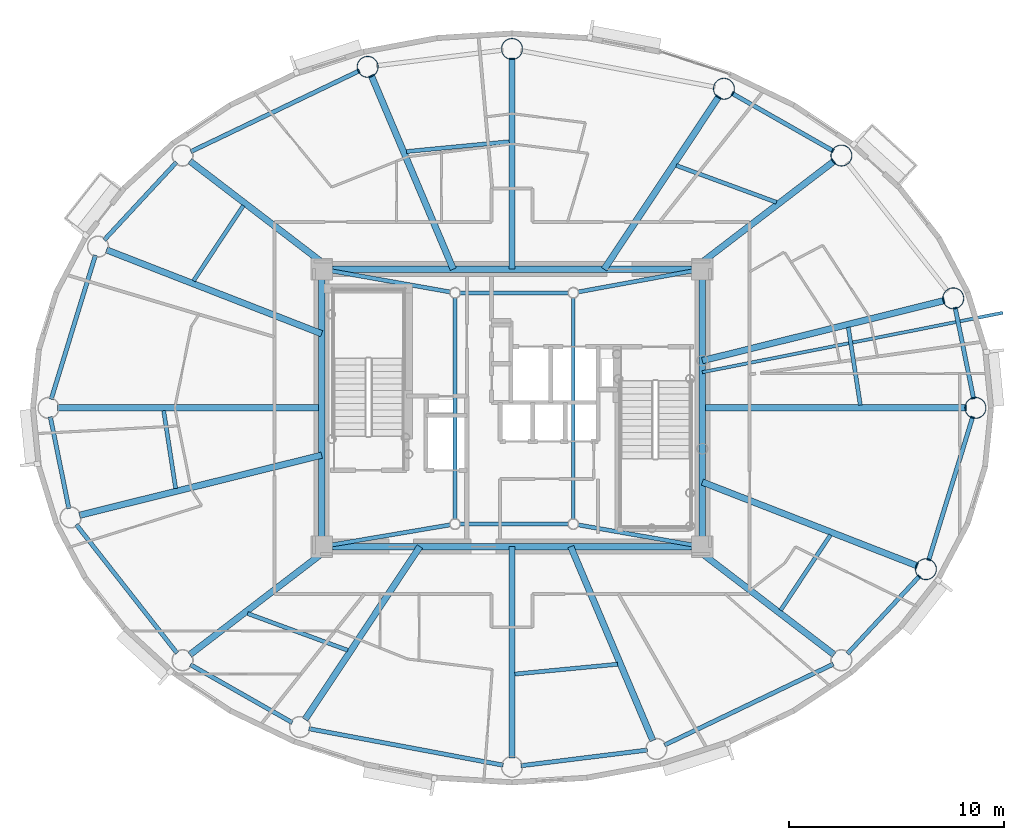
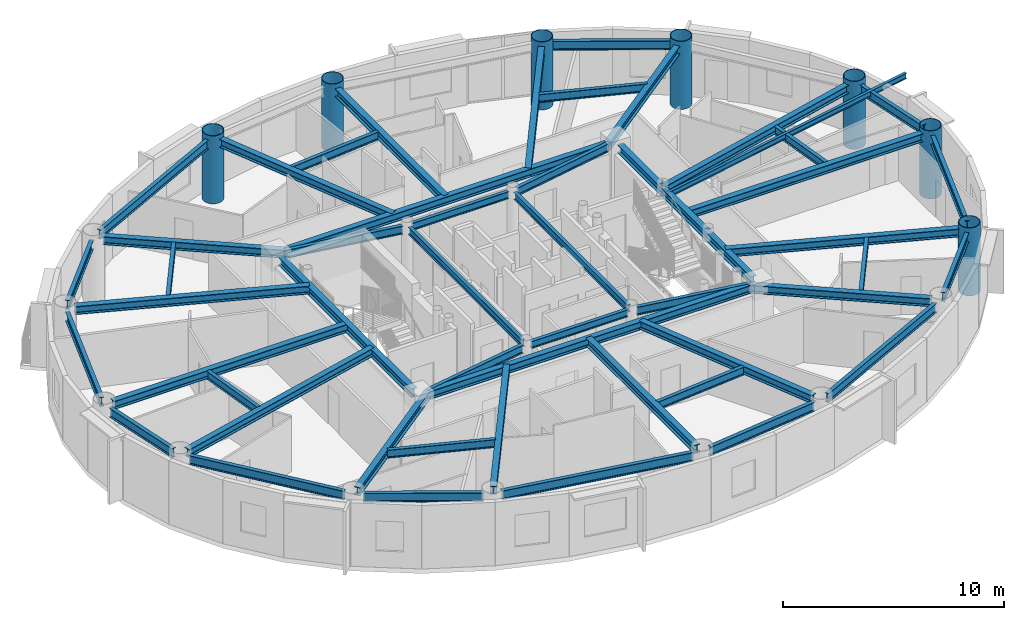
# One storey, part 2 of 17: 50 beams, 7 columns.
"""IFC4 building model written with IfcOpenShell, lengths in metres."""

import ifcopenshell
import ifcopenshell.guid

model = None  # the IFC model being written
_history = None  # IfcOwnerHistory: only IFC2X3 demands one
_inside = {}  # id of a spatial element -> (the spatial element, [elements in it])
_under = {}  # id of a project, library or spatial element -> (it, [spatial elements below it])
_declared = {}  # id of a project -> (the project, [libraries it declares])
_typed = {}  # id of a type object -> (the type object, [elements of that type])
_made_of = {}  # id of a material, layer set ... -> (it, [elements and type objects made of it])


def new_model(schema):
    """Start an empty IFC model of exactly this schema.

    Asked for "IFC4X3", IfcOpenShell would pick the latest addendum, in which some entities
    have other attributes; the version numbers below select the first issue.
    IFC2X3 requires an IfcOwnerHistory on every rooted entity: one is made here for all.
    """
    global model, _history
    if schema == "IFC4X3":
        model = ifcopenshell.file(schema_version=(4, 3, 0, 0))
    else:
        model = ifcopenshell.file(schema=schema)
    _inside.clear()
    _under.clear()
    _declared.clear()
    _typed.clear()
    _made_of.clear()
    _history = None
    if model.schema == "IFC2X3":
        org = make("IfcOrganization", Name="unknown")
        user = make(
            "IfcPersonAndOrganization",
            ThePerson=make("IfcPerson", FamilyName="unknown"),
            TheOrganization=org,
        )
        app = make(
            "IfcApplication",
            ApplicationDeveloper=org,
            Version="unknown",
            ApplicationFullName="unknown",
            ApplicationIdentifier="unknown",
        )
        _history = make(
            "IfcOwnerHistory",
            OwningUser=user,
            OwningApplication=app,
            ChangeAction="ADDED",
            CreationDate=0,
        )
    return model


def make(cls, **values):
    """One entity of the class cls with the attributes given. An attribute that is None is left unset."""
    return model.create_entity(
        cls, **{name: value for name, value in values.items() if value is not None}
    )


def rooted(cls, **values):
    """An entity with a GlobalId (a new one), such as an element, a storey or a relation."""
    return make(cls, GlobalId=ifcopenshell.guid.new(), OwnerHistory=_history, **values)


def si_unit(unit_type, name, prefix=None):
    """IfcSIUnit, for example si_unit("LENGTHUNIT", "METRE", prefix="MILLI")."""
    return make("IfcSIUnit", UnitType=unit_type, Prefix=prefix, Name=name)


def assignment(units):
    """IfcUnitAssignment: the units of a project."""
    return None if units is None else make("IfcUnitAssignment", Units=units)


def point(xyz):
    """IfcCartesianPoint."""
    return None if xyz is None else make("IfcCartesianPoint", Coordinates=xyz)


def direction(xyz):
    """IfcDirection."""
    return None if xyz is None else make("IfcDirection", DirectionRatios=xyz)


def frame(location, z_axis=None, x_axis=None):
    """IfcAxis2Placement3D, a coordinate frame: its origin and axes. An axis left out is left unset."""
    return make(
        "IfcAxis2Placement3D",
        Location=point(location),
        Axis=direction(z_axis),
        RefDirection=direction(x_axis),
    )


def frame_2d(location, x_axis=None):
    """IfcAxis2Placement2D, a coordinate frame in the plane: its origin and x axis."""
    return make(
        "IfcAxis2Placement2D", Location=point(location), RefDirection=direction(x_axis)
    )


def origin():
    """The frame at (0, 0, 0) with its axes left unset."""
    return frame((0.0, 0.0, 0.0))


def origin_2d():
    """The frame at (0, 0) in the plane with its x axis left unset."""
    return frame_2d((0.0, 0.0))


def place(relative_to, where):
    """IfcLocalPlacement: puts the frame where relative to a parent placement (None: the world)."""
    return make(
        "IfcLocalPlacement", PlacementRelTo=relative_to, RelativePlacement=where
    )


def context(
    kind, dimensions, precision=None, world=None, true_north=None, identifier=None
):
    """IfcGeometricRepresentationContext, for example the 3D "Model" context."""
    return make(
        "IfcGeometricRepresentationContext",
        ContextIdentifier=identifier,
        ContextType=kind,
        CoordinateSpaceDimension=dimensions,
        Precision=precision,
        WorldCoordinateSystem=world,
        TrueNorth=true_north,
    )


def subcontext(parent, identifier, kind, view, scale=None):
    """IfcGeometricRepresentationSubContext, for example "Body" below "Model"."""
    return make(
        "IfcGeometricRepresentationSubContext",
        ContextIdentifier=identifier,
        ContextType=kind,
        ParentContext=parent,
        TargetScale=scale,
        TargetView=view,
    )


def project(units=None, contexts=None):
    """IfcProject with its units and contexts."""
    return rooted(
        "IfcProject",
        Name="project",
        RepresentationContexts=contexts,
        UnitsInContext=assignment(units),
    )


def spatial(cls, under=None, at=None, **own):
    """A site, building, storey or space (cls), placed at a placement, below another one or the project."""
    s = rooted(cls, ObjectPlacement=at, **own)
    if under is not None:
        _under.setdefault(under.id(), (under, []))[1].append(s)
    return s


def profile(cls, at=None, kind="AREA", **sizes):
    """A parametric profile (cls). Its sizes go by their IFC names, for example OverallWidth=200.0."""
    return make(cls, ProfileType=kind, Position=at, **sizes)


def hollow_circle(**sizes):
    """IfcCircleHollowProfileDef."""
    return profile("IfcCircleHollowProfileDef", **sizes)


def i_section(**sizes):
    """IfcIShapeProfileDef."""
    return profile("IfcIShapeProfileDef", **sizes)


def extrude(swept, where, along, depth):
    """IfcExtrudedAreaSolid: the profile swept, set in the frame where, extruded along a direction by depth."""
    return make(
        "IfcExtrudedAreaSolid",
        SweptArea=swept,
        Position=where,
        ExtrudedDirection=direction(along),
        Depth=depth,
    )


def shape(context_of_items, identifier, shape_type, items):
    """IfcShapeRepresentation: the items that make up one representation, for example the "Body"."""
    return make(
        "IfcShapeRepresentation",
        ContextOfItems=context_of_items,
        RepresentationIdentifier=identifier,
        RepresentationType=shape_type,
        Items=items,
    )


def material(Name=None, Category=None):
    """IfcMaterial."""
    return make("IfcMaterial", Name=Name, Category=Category)


def material_profile(
    of_material, cross_section, Name=None, Category=None, Priority=None
):
    """IfcMaterialProfile: a cross section and its material."""
    return make(
        "IfcMaterialProfile",
        Name=Name,
        Material=of_material,
        Profile=cross_section,
        Priority=Priority,
        Category=Category,
    )


def profile_set(profiles, Name=None, composite=None):
    """IfcMaterialProfileSet."""
    return make(
        "IfcMaterialProfileSet",
        Name=Name,
        MaterialProfiles=profiles,
        CompositeProfile=composite,
    )


def made_of(thing, what):
    """Note that an element or type object is made of a material, layer set ...; save() writes the relation."""
    if what is not None:
        _made_of.setdefault(what.id(), (what, []))[1].append(thing)
    return thing


def type_object(cls, material=None, **own):
    """A type object (cls), such as IfcWallType, which elements share."""
    return made_of(rooted(cls, **own), material)


def element(
    cls,
    number,
    at=None,
    inside=None,
    cuts=None,
    type_object=None,
    material=None,
    context=None,
    identifier="Body",
    shape_type=None,
    held_by="IfcProductDefinitionShape",
    body=None,
    shapes=None,
    **own,
):
    """One element of the class cls, such as IfcWall. Its Tag is "e" and its number.

    at: its placement. inside: the storey or other place that contains it. cuts: it is an
    opening in that element (IfcRelVoidsElement). A single representation is given by context,
    identifier, shape_type and body (its items); several are given by shapes. held_by: the class
    of the entity that holds the representations. save() writes the other relations.
    """
    e = rooted(cls, Tag="e%d" % number, ObjectPlacement=at, **own)
    if body is not None:
        shapes = [shape(context, identifier, shape_type, body)]
    if shapes is not None:
        e.Representation = make(held_by, Representations=shapes)
    if inside is not None:
        _inside.setdefault(inside.id(), (inside, []))[1].append(e)
    if cuts is not None:
        rooted(
            "IfcRelVoidsElement", RelatingBuildingElement=cuts, RelatedOpeningElement=e
        )
    if type_object is not None:
        _typed.setdefault(type_object.id(), (type_object, []))[1].append(e)
    return made_of(e, material)


def aggregate(whole, parts):
    """IfcRelAggregates: a whole, such as a stair, and the parts it consists of."""
    return rooted("IfcRelAggregates", RelatingObject=whole, RelatedObjects=parts)


def save(model, path):
    """Write the relations noted so far, then the file.

    IfcRelAggregates (storeys below a building ...), IfcRelContainedInSpatialStructure (elements
    in a storey), IfcRelDefinesByType, IfcRelAssociatesMaterial and IfcRelDeclares: one each for
    every whole, place, type object, material and project.
    """
    for whole, parts in _under.values():
        aggregate(whole, parts)
    for where, things in _inside.values():
        rooted(
            "IfcRelContainedInSpatialStructure",
            RelatedElements=things,
            RelatingStructure=where,
        )
    for kind, things in _typed.values():
        rooted("IfcRelDefinesByType", RelatedObjects=things, RelatingType=kind)
    for what, things in _made_of.values():
        rooted("IfcRelAssociatesMaterial", RelatedObjects=things, RelatingMaterial=what)
    for by, libraries in _declared.values():
        rooted("IfcRelDeclares", RelatingContext=by, RelatedDefinitions=libraries)
    model.write(path)


model = new_model("IFC4")

# Units and contexts
model_context = context("Model", 3, precision=1e-05, world=origin(), true_north=direction((0.0, 1.0)))
body_context = subcontext(model_context, "Body", "Model", "MODEL_VIEW")
ifc_project = project(units=[si_unit("LENGTHUNIT", "METRE"), si_unit("AREAUNIT", "SQUARE_METRE"), si_unit("VOLUMEUNIT", "CUBIC_METRE"), si_unit("PLANEANGLEUNIT", "RADIAN"), si_unit("MASSUNIT", "GRAM", prefix="KILO")], contexts=[model_context])

# Site, building, storey
site_placement = place(None, origin())
site = spatial("IfcSite", under=ifc_project, at=site_placement, CompositionType="ELEMENT")
building_placement = place(site_placement, origin())
building = spatial("IfcBuilding", under=site, at=building_placement, Name="Linh Dai School and Residence Tower", CompositionType="ELEMENT")
storey_placement = place(building_placement, frame((0.0, 0.0, 276.75)))
storey = spatial("IfcBuildingStorey", under=building, at=storey_placement, Name="L68", CompositionType="ELEMENT", Elevation=276.75)

# Columns
ifc_material = material(Name="Structural Steel S355JR", Category="steel")
ifc_material_profile_1 = material_profile(ifc_material, hollow_circle(Radius=0.5, WallThickness=0.031982421875, at=origin_2d()), Name="CHS 1000x32")
ifc_profile_set_1 = profile_set([ifc_material_profile_1], Name="Structural Steel S355JR")
column_type = type_object("IfcColumnType", Name="COL-MC6", PredefinedType="COLUMN", material=ifc_profile_set_1)
for number, where, z_axis, x_axis, name in (
    (1, (57.550048828125, 27.0, 0.0), (0.0, 0.0, 1.0), (1.0, 0.0, 0.0), "L68 Perimeter CFT Mega-Column MC01"),
    (2, (56.5185546875, 32.094482421875, 0.0), (0.0, 0.0, 1.0), (1.0, 0.0, 0.0), "L68 Perimeter CFT Mega-Column MC02"),
    (3, (51.315185546875, 38.7333984375, 0.0), (0.0, 0.0, 1.0), (1.0, 0.0, 0.0), "L68 Perimeter CFT Mega-Column MC03"),
    (4, (45.8544921875, 41.8388671875, 0.0), (0.0, 0.0, 1.0), (1.0, 0.0, 0.0), "L68 Perimeter CFT Mega-Column MC04"),
    (5, (36.0, 43.68994140625, 0.0), (0.0, 0.0, 1.0), (1.0, 0.0, 0.0), "L68 Perimeter CFT Mega-Column MC05"),
    (6, (29.28759765625, 42.857666015625, 0.0), (0.0, 0.0, 1.0), (1.0, 0.0, 0.0), "L68 Perimeter CFT Mega-Column MC06"),
    (7, (55.24609375, 19.50048828125, 0.0), (0.0, 0.0, 1.0), (1.0, 0.0, 0.0), "L68 Perimeter CFT Mega-Column MC16"),
):
    element("IfcColumn", number, at=place(storey_placement, frame(where, z_axis=z_axis, x_axis=x_axis)), inside=storey, type_object=column_type, Name=name, PredefinedType="COLUMN", context=body_context, shape_type="SweptSolid", body=[
        extrude(hollow_circle(Radius=0.5, WallThickness=0.031982421875, at=origin_2d()), origin(), (0.0, 0.0, 1.0), 3.75),
    ])

# Beams
ifc_material_profile_2 = material_profile(ifc_material, i_section(OverallWidth=0.14990234375, OverallDepth=0.300048828125, WebThickness=0.007080078125, FlangeThickness=0.0107421875, at=origin_2d()), Name="IPE 300")
ifc_profile_set_2 = profile_set([ifc_material_profile_2], Name="Structural Steel S355JR")
beam_type_1 = type_object("IfcBeamType", Name="BM-BALC-CANT", PredefinedType="BEAM", material=ifc_profile_set_2)
beam_1_placement = place(storey_placement, frame((44.85009765625, 28.657958984375, 3.35009765625), z_axis=(0.98098726072, 0.194072136859, 0.0), x_axis=(-0.194072136859, 0.98098726072, 0.0)))
element("IfcBeam", 8, at=beam_1_placement, inside=storey, type_object=beam_type_1, Name="L69 Balcony Continuous Cantilever Beam 02", PredefinedType="BEAM", context=body_context, shape_type="SweptSolid", body=[
    extrude(i_section(OverallWidth=0.14990234375, OverallDepth=0.300048828125, WebThickness=0.007080078125, FlangeThickness=0.0107421875, at=origin_2d()), origin(), (0.0, 0.0, 1.0), 14.244140625),
])
ifc_material_profile_3 = material_profile(ifc_material, i_section(OverallWidth=0.199951171875, OverallDepth=0.5, WebThickness=0.01025390625, FlangeThickness=0.01611328125, FilletRadius=0.02099609375, at=origin_2d()), Name="IPE 500")
ifc_profile_set_3 = profile_set([ifc_material_profile_3], Name="Structural Steel S355JR")
beam_type_2 = type_object("IfcBeamType", Name="BM-RB50", PredefinedType="BEAM", material=ifc_profile_set_3)
beam_2_placement = place(storey_placement, frame((57.466552734375, 27.41162109375, 3.25), z_axis=(-0.198442801529, 0.980112470343, 0.0), x_axis=(-0.980112470343, -0.198442801529, 0.0)))
element("IfcBeam", 9, at=beam_2_placement, inside=storey, type_object=beam_type_2, Name="L68 Perimeter Elliptical Ring Beam 01", PredefinedType="BEAM", context=body_context, shape_type="SweptSolid", body=[
    extrude(i_section(OverallWidth=0.199951171875, OverallDepth=0.5, WebThickness=0.01025390625, FlangeThickness=0.01611328125, FilletRadius=0.02099609375, at=origin_2d()), origin(), (0.0, 0.0, 1.0), 4.357666015625),
])
beam_3_placement = place(storey_placement, frame((50.949951171875, 38.94091796875, 3.25), z_axis=(-0.869265548778, 0.494345431564, 0.0), x_axis=(-0.494345431564, -0.869265548778, 0.0)))
element("IfcBeam", 10, at=beam_3_placement, inside=storey, type_object=beam_type_2, Name="L68 Perimeter Elliptical Ring Beam 03", PredefinedType="BEAM", context=body_context, shape_type="SweptSolid", body=[
    extrude(i_section(OverallWidth=0.199951171875, OverallDepth=0.5, WebThickness=0.01025390625, FlangeThickness=0.01611328125, FilletRadius=0.02099609375, at=origin_2d()), origin(), (0.0, 0.0, 1.0), 5.44189453125),
])
beam_4_placement = place(storey_placement, frame((28.908935546875, 42.67626953125, 3.25), z_axis=(-0.901728757887, -0.4323022637, 0.0), x_axis=(0.4323022637, -0.901728757887, 0.0)))
element("IfcBeam", 11, at=beam_4_placement, inside=storey, type_object=beam_type_2, Name="L68 Perimeter Elliptical Ring Beam 06", PredefinedType="BEAM", context=body_context, shape_type="SweptSolid", body=[
    extrude(i_section(OverallWidth=0.199951171875, OverallDepth=0.5, WebThickness=0.01025390625, FlangeThickness=0.01611328125, FilletRadius=0.02099609375, at=origin_2d()), origin(), (0.0, 0.0, 1.0), 8.700439453125),
])
beam_5_placement = place(storey_placement, frame((20.399169921875, 38.425537109375, 3.25), z_axis=(-0.680415064526, -0.7328269509, 0.0), x_axis=(0.7328269509, -0.680415064526, 0.0)))
element("IfcBeam", 12, at=beam_5_placement, inside=storey, type_object=beam_type_2, Name="L68 Perimeter Elliptical Ring Beam 07", PredefinedType="BEAM", context=body_context, shape_type="SweptSolid", body=[
    extrude(i_section(OverallWidth=0.199951171875, OverallDepth=0.5, WebThickness=0.01025390625, FlangeThickness=0.01611328125, FilletRadius=0.02099609375, at=origin_2d()), origin(), (0.0, 0.0, 1.0), 4.9375),
])
beam_6_placement = place(storey_placement, frame((16.630615234375, 34.097900390625, 3.25), z_axis=(-0.293681749834, -0.955903253376, 0.0), x_axis=(0.955903253376, -0.293681749834, 0.0)))
element("IfcBeam", 13, at=beam_6_placement, inside=storey, type_object=beam_type_2, Name="L68 Perimeter Elliptical Ring Beam 08", PredefinedType="BEAM", context=body_context, shape_type="SweptSolid", body=[
    extrude(i_section(OverallWidth=0.199951171875, OverallDepth=0.5, WebThickness=0.01025390625, FlangeThickness=0.01611328125, FilletRadius=0.02099609375, at=origin_2d()), origin(), (0.0, 0.0, 1.0), 7.00537109375),
])
beam_7_placement = place(storey_placement, frame((14.533447265625, 26.58837890625, 3.25), z_axis=(0.198442801529, -0.980112470343, 0.0), x_axis=(0.980112470343, 0.198442801529, 0.0)))
element("IfcBeam", 14, at=beam_7_placement, inside=storey, type_object=beam_type_2, Name="L68 Perimeter Elliptical Ring Beam 09", PredefinedType="BEAM", context=body_context, shape_type="SweptSolid", body=[
    extrude(i_section(OverallWidth=0.199951171875, OverallDepth=0.5, WebThickness=0.01025390625, FlangeThickness=0.01611328125, FilletRadius=0.02099609375, at=origin_2d()), origin(), (0.0, 0.0, 1.0), 4.357666015625),
])
beam_8_placement = place(storey_placement, frame((15.740478515625, 21.574951171875, 3.25), z_axis=(0.616882739554, -0.787055071542, 0.0), x_axis=(0.787055071542, 0.616882739554, 0.0)))
element("IfcBeam", 15, at=beam_8_placement, inside=storey, type_object=beam_type_2, Name="L68 Perimeter Elliptical Ring Beam 10", PredefinedType="BEAM", context=body_context, shape_type="SweptSolid", body=[
    extrude(i_section(OverallWidth=0.199951171875, OverallDepth=0.5, WebThickness=0.01025390625, FlangeThickness=0.01611328125, FilletRadius=0.02099609375, at=origin_2d()), origin(), (0.0, 0.0, 1.0), 7.59521484375),
])
beam_9_placement = place(storey_placement, frame((21.050048828125, 15.05908203125, 3.25), z_axis=(0.869265548778, -0.494345431564, 0.0), x_axis=(0.494345431564, 0.869265548778, 0.0)))
element("IfcBeam", 16, at=beam_9_placement, inside=storey, type_object=beam_type_2, Name="L68 Perimeter Elliptical Ring Beam 11", PredefinedType="BEAM", context=body_context, shape_type="SweptSolid", body=[
    extrude(i_section(OverallWidth=0.199951171875, OverallDepth=0.5, WebThickness=0.01025390625, FlangeThickness=0.01611328125, FilletRadius=0.02099609375, at=origin_2d()), origin(), (0.0, 0.0, 1.0), 5.44189453125),
])
beam_10_placement = place(storey_placement, frame((26.558349609375, 12.083740234375, 3.25), z_axis=(0.982805333306, -0.184644731378, 0.0), x_axis=(0.184644731378, 0.982805333306, 0.0)))
element("IfcBeam", 17, at=beam_10_placement, inside=storey, type_object=beam_type_2, Name="L68 Perimeter Elliptical Ring Beam 12", PredefinedType="BEAM", context=body_context, shape_type="SweptSolid", body=[
    extrude(i_section(OverallWidth=0.199951171875, OverallDepth=0.5, WebThickness=0.01025390625, FlangeThickness=0.01611328125, FilletRadius=0.02099609375, at=origin_2d()), origin(), (0.0, 0.0, 1.0), 9.186767578125),
])
beam_11_placement = place(storey_placement, frame((36.416748046875, 10.361572265625, 3.25), z_axis=(0.992399134443, 0.123060789678, 0.0), x_axis=(-0.123060789678, 0.992399134443, 0.0)))
element("IfcBeam", 18, at=beam_11_placement, inside=storey, type_object=beam_type_2, Name="L68 Perimeter Elliptical Ring Beam 13", PredefinedType="BEAM", context=body_context, shape_type="SweptSolid", body=[
    extrude(i_section(OverallWidth=0.199951171875, OverallDepth=0.5, WebThickness=0.01025390625, FlangeThickness=0.01611328125, FilletRadius=0.02099609375, at=origin_2d()), origin(), (0.0, 0.0, 1.0), 5.923828125),
])
beam_12_placement = place(storey_placement, frame((43.091064453125, 11.32373046875, 3.25), z_axis=(0.901728757887, 0.4323022637, 0.0), x_axis=(-0.4323022637, 0.901728757887, 0.0)))
element("IfcBeam", 19, at=beam_12_placement, inside=storey, type_object=beam_type_2, Name="L68 Perimeter Elliptical Ring Beam 14", PredefinedType="BEAM", context=body_context, shape_type="SweptSolid", body=[
    extrude(i_section(OverallWidth=0.199951171875, OverallDepth=0.5, WebThickness=0.01025390625, FlangeThickness=0.01611328125, FilletRadius=0.02099609375, at=origin_2d()), origin(), (0.0, 0.0, 1.0), 8.700439453125),
])
beam_13_placement = place(storey_placement, frame((51.600830078125, 15.574462890625, 3.25), z_axis=(0.680415064526, 0.7328269509, 0.0), x_axis=(-0.7328269509, 0.680415064526, 0.0)))
element("IfcBeam", 20, at=beam_13_placement, inside=storey, type_object=beam_type_2, Name="L68 Perimeter Elliptical Ring Beam 15", PredefinedType="BEAM", context=body_context, shape_type="SweptSolid", body=[
    extrude(i_section(OverallWidth=0.199951171875, OverallDepth=0.5, WebThickness=0.01025390625, FlangeThickness=0.01611328125, FilletRadius=0.02099609375, at=origin_2d()), origin(), (0.0, 0.0, 1.0), 4.9375),
])
beam_14_placement = place(storey_placement, frame((55.369384765625, 19.902099609375, 3.25), z_axis=(0.293681749834, 0.955903253376, 0.0), x_axis=(-0.955903253376, 0.293681749834, 0.0)))
element("IfcBeam", 21, at=beam_14_placement, inside=storey, type_object=beam_type_2, Name="L68 Perimeter Elliptical Ring Beam 16", PredefinedType="BEAM", context=body_context, shape_type="SweptSolid", body=[
    extrude(i_section(OverallWidth=0.199951171875, OverallDepth=0.5, WebThickness=0.01025390625, FlangeThickness=0.01611328125, FilletRadius=0.02099609375, at=origin_2d()), origin(), (0.0, 0.0, 1.0), 7.00537109375),
])
ifc_material_profile_4 = material_profile(ifc_material, i_section(OverallWidth=0.300048828125, OverallDepth=0.449951171875, WebThickness=0.013916015625, FlangeThickness=0.02587890625, FilletRadius=0.027099609375, at=origin_2d()), Name="HEB 450")
ifc_profile_set_4 = profile_set([ifc_material_profile_4], Name="Structural Steel S355JR")
beam_type_3 = type_object("IfcBeamType", Name="BM-RG45", PredefinedType="BEAM", material=ifc_profile_set_4)
beam_15_placement = place(storey_placement, frame((27.570068359375, 20.550048828125, 3.27490234375), z_axis=(1.0, 0.0, 0.0), x_axis=(0.0, 1.0, 0.0)))
element("IfcBeam", 22, at=beam_15_placement, inside=storey, type_object=beam_type_3, Name="L68 Core Perimeter Coupling Girder 1", PredefinedType="BEAM", context=body_context, shape_type="SweptSolid", body=[
    extrude(i_section(OverallWidth=0.300048828125, OverallDepth=0.449951171875, WebThickness=0.013916015625, FlangeThickness=0.02587890625, FilletRadius=0.027099609375, at=origin_2d()), origin(), (0.0, 0.0, 1.0), 16.85986328125),
])
beam_16_placement = place(storey_placement, frame((44.85009765625, 20.969970703125, 3.27490234375), z_axis=(0.0, 1.0, 0.0), x_axis=(-1.0, 0.0, 0.0)))
element("IfcBeam", 23, at=beam_16_placement, inside=storey, type_object=beam_type_3, Name="L68 Core Perimeter Coupling Girder 2", PredefinedType="BEAM", context=body_context, shape_type="SweptSolid", body=[
    extrude(i_section(OverallWidth=0.300048828125, OverallDepth=0.449951171875, WebThickness=0.013916015625, FlangeThickness=0.02587890625, FilletRadius=0.027099609375, at=origin_2d()), origin(), (0.0, 0.0, 1.0), 12.06005859375),
])
beam_17_placement = place(storey_placement, frame((44.429931640625, 33.449951171875, 3.27490234375), z_axis=(-1.0, 0.0, 0.0), x_axis=(0.0, -1.0, 0.0)))
element("IfcBeam", 24, at=beam_17_placement, inside=storey, type_object=beam_type_3, Name="L68 Core Perimeter Coupling Girder 3", PredefinedType="BEAM", context=body_context, shape_type="SweptSolid", body=[
    extrude(i_section(OverallWidth=0.300048828125, OverallDepth=0.449951171875, WebThickness=0.013916015625, FlangeThickness=0.02587890625, FilletRadius=0.027099609375, at=origin_2d()), origin(), (0.0, 0.0, 1.0), 16.85986328125),
])
beam_18_placement = place(storey_placement, frame((27.14990234375, 33.030029296875, 3.27490234375), z_axis=(0.0, -1.0, 0.0), x_axis=(1.0, 0.0, 0.0)))
element("IfcBeam", 25, at=beam_18_placement, inside=storey, type_object=beam_type_3, Name="L68 Core Perimeter Coupling Girder 4", PredefinedType="BEAM", context=body_context, shape_type="SweptSolid", body=[
    extrude(i_section(OverallWidth=0.300048828125, OverallDepth=0.449951171875, WebThickness=0.013916015625, FlangeThickness=0.02587890625, FilletRadius=0.027099609375, at=origin_2d()), origin(), (0.0, 0.0, 1.0), 12.06005859375),
])
beam_19_placement = place(storey_placement, frame((44.85009765625, 27.0, 3.27490234375), z_axis=(1.0, 0.0, 0.0), x_axis=(0.0, 1.0, 0.0)))
element("IfcBeam", 26, at=beam_19_placement, inside=storey, type_object=beam_type_3, Name="L68 Primary Radial Floor Girder 01", PredefinedType="BEAM", context=body_context, shape_type="SweptSolid", body=[
    extrude(i_section(OverallWidth=0.300048828125, OverallDepth=0.449951171875, WebThickness=0.013916015625, FlangeThickness=0.02587890625, FilletRadius=0.027099609375, at=origin_2d()), origin(), (0.0, 0.0, 1.0), 12.27978515625),
])
beam_20_placement = place(storey_placement, frame((44.85009765625, 29.197265625, 3.27490234375), z_axis=(0.970532368701, 0.240970789315, 0.0), x_axis=(-0.240970789315, 0.970532368701, 0.0)))
element("IfcBeam", 27, at=beam_20_placement, inside=storey, type_object=beam_type_3, Name="L68 Primary Radial Floor Girder 02", PredefinedType="BEAM", context=body_context, shape_type="SweptSolid", body=[
    extrude(i_section(OverallWidth=0.300048828125, OverallDepth=0.449951171875, WebThickness=0.013916015625, FlangeThickness=0.02587890625, FilletRadius=0.027099609375, at=origin_2d()), origin(), (0.0, 0.0, 1.0), 11.6025390625),
])
beam_21_placement = place(storey_placement, frame((44.4189453125, 33.449951171875, 3.27490234375), z_axis=(0.793802616583, 0.608175472956, 0.0), x_axis=(-0.608175472956, 0.793802616583, 0.0)))
element("IfcBeam", 28, at=beam_21_placement, inside=storey, type_object=beam_type_3, Name="L68 Primary Radial Floor Girder 03", PredefinedType="BEAM", context=body_context, shape_type="SweptSolid", body=[
    extrude(i_section(OverallWidth=0.300048828125, OverallDepth=0.449951171875, WebThickness=0.013916015625, FlangeThickness=0.02587890625, FilletRadius=0.027099609375, at=origin_2d()), origin(), (0.0, 0.0, 1.0), 8.267578125),
])
beam_22_placement = place(storey_placement, frame((40.283447265625, 33.449951171875, 3.27490234375), z_axis=(0.553210566646, 0.833041456922, 0.0), x_axis=(-0.833041456922, 0.553210566646, 0.0)))
element("IfcBeam", 29, at=beam_22_placement, inside=storey, type_object=beam_type_3, Name="L68 Primary Radial Floor Girder 04", PredefinedType="BEAM", context=body_context, shape_type="SweptSolid", body=[
    extrude(i_section(OverallWidth=0.300048828125, OverallDepth=0.449951171875, WebThickness=0.013916015625, FlangeThickness=0.02587890625, FilletRadius=0.027099609375, at=origin_2d()), origin(), (0.0, 0.0, 1.0), 9.650146484375),
])
beam_23_placement = place(storey_placement, frame((36.0, 33.449951171875, 3.27490234375), z_axis=(0.0, 1.0, 0.0), x_axis=(-1.0, 0.0, 0.0)))
element("IfcBeam", 30, at=beam_23_placement, inside=storey, type_object=beam_type_3, Name="L68 Primary Radial Floor Girder 05", PredefinedType="BEAM", context=body_context, shape_type="SweptSolid", body=[
    extrude(i_section(OverallWidth=0.300048828125, OverallDepth=0.449951171875, WebThickness=0.013916015625, FlangeThickness=0.02587890625, FilletRadius=0.027099609375, at=origin_2d()), origin(), (0.0, 0.0, 1.0), 9.820068359375),
])
beam_24_placement = place(storey_placement, frame((33.269775390625, 33.449951171875, 3.27490234375), z_axis=(-0.389794463678, 0.920901881899, 0.0), x_axis=(-0.920901881899, -0.389794463678, 0.0)))
element("IfcBeam", 31, at=beam_24_placement, inside=storey, type_object=beam_type_3, Name="L68 Primary Radial Floor Girder 06", PredefinedType="BEAM", context=body_context, shape_type="SweptSolid", body=[
    extrude(i_section(OverallWidth=0.300048828125, OverallDepth=0.449951171875, WebThickness=0.013916015625, FlangeThickness=0.02587890625, FilletRadius=0.027099609375, at=origin_2d()), origin(), (0.0, 0.0, 1.0), 9.7958984375),
])
beam_25_placement = place(storey_placement, frame((27.5810546875, 33.449951171875, 3.27490234375), z_axis=(-0.793802616583, 0.608175472956, 0.0), x_axis=(-0.608175472956, -0.793802616583, 0.0)))
element("IfcBeam", 32, at=beam_25_placement, inside=storey, type_object=beam_type_3, Name="L68 Primary Radial Floor Girder 07", PredefinedType="BEAM", context=body_context, shape_type="SweptSolid", body=[
    extrude(i_section(OverallWidth=0.300048828125, OverallDepth=0.449951171875, WebThickness=0.013916015625, FlangeThickness=0.02587890625, FilletRadius=0.027099609375, at=origin_2d()), origin(), (0.0, 0.0, 1.0), 8.267578125),
])
beam_26_placement = place(storey_placement, frame((27.14990234375, 30.448486328125, 3.27490234375), z_axis=(-0.931760809838, 0.363072710693, 0.0), x_axis=(-0.363072710693, -0.931760809838, 0.0)))
element("IfcBeam", 33, at=beam_26_placement, inside=storey, type_object=beam_type_3, Name="L68 Primary Radial Floor Girder 08", PredefinedType="BEAM", context=body_context, shape_type="SweptSolid", body=[
    extrude(i_section(OverallWidth=0.300048828125, OverallDepth=0.449951171875, WebThickness=0.013916015625, FlangeThickness=0.02587890625, FilletRadius=0.027099609375, at=origin_2d()), origin(), (0.0, 0.0, 1.0), 10.7373046875),
])
beam_27_placement = place(storey_placement, frame((27.14990234375, 27.0, 3.27490234375), z_axis=(-1.0, 0.0, 0.0), x_axis=(0.0, -1.0, 0.0)))
element("IfcBeam", 34, at=beam_27_placement, inside=storey, type_object=beam_type_3, Name="L68 Primary Radial Floor Girder 09", PredefinedType="BEAM", context=body_context, shape_type="SweptSolid", body=[
    extrude(i_section(OverallWidth=0.300048828125, OverallDepth=0.449951171875, WebThickness=0.013916015625, FlangeThickness=0.02587890625, FilletRadius=0.027099609375, at=origin_2d()), origin(), (0.0, 0.0, 1.0), 12.27978515625),
])
beam_28_placement = place(storey_placement, frame((27.14990234375, 24.802734375, 3.27490234375), z_axis=(-0.970532368701, -0.240970789315, 0.0), x_axis=(0.240970789315, -0.970532368701, 0.0)))
element("IfcBeam", 35, at=beam_28_placement, inside=storey, type_object=beam_type_3, Name="L68 Primary Radial Floor Girder 10", PredefinedType="BEAM", context=body_context, shape_type="SweptSolid", body=[
    extrude(i_section(OverallWidth=0.300048828125, OverallDepth=0.449951171875, WebThickness=0.013916015625, FlangeThickness=0.02587890625, FilletRadius=0.027099609375, at=origin_2d()), origin(), (0.0, 0.0, 1.0), 11.6025390625),
])
beam_29_placement = place(storey_placement, frame((27.5810546875, 20.550048828125, 3.27490234375), z_axis=(-0.793802616583, -0.608175472956, 0.0), x_axis=(0.608175472956, -0.793802616583, 0.0)))
element("IfcBeam", 36, at=beam_29_placement, inside=storey, type_object=beam_type_3, Name="L68 Primary Radial Floor Girder 11", PredefinedType="BEAM", context=body_context, shape_type="SweptSolid", body=[
    extrude(i_section(OverallWidth=0.300048828125, OverallDepth=0.449951171875, WebThickness=0.013916015625, FlangeThickness=0.02587890625, FilletRadius=0.027099609375, at=origin_2d()), origin(), (0.0, 0.0, 1.0), 8.267578125),
])
beam_30_placement = place(storey_placement, frame((31.716552734375, 20.550048828125, 3.27490234375), z_axis=(-0.553210566646, -0.833041456922, 0.0), x_axis=(0.833041456922, -0.553210566646, 0.0)))
element("IfcBeam", 37, at=beam_30_placement, inside=storey, type_object=beam_type_3, Name="L68 Primary Radial Floor Girder 12", PredefinedType="BEAM", context=body_context, shape_type="SweptSolid", body=[
    extrude(i_section(OverallWidth=0.300048828125, OverallDepth=0.449951171875, WebThickness=0.013916015625, FlangeThickness=0.02587890625, FilletRadius=0.027099609375, at=origin_2d()), origin(), (0.0, 0.0, 1.0), 9.650146484375),
])
beam_31_placement = place(storey_placement, frame((36.0, 20.550048828125, 3.27490234375), z_axis=(0.0, -1.0, 0.0), x_axis=(1.0, 0.0, 0.0)))
element("IfcBeam", 38, at=beam_31_placement, inside=storey, type_object=beam_type_3, Name="L68 Primary Radial Floor Girder 13", PredefinedType="BEAM", context=body_context, shape_type="SweptSolid", body=[
    extrude(i_section(OverallWidth=0.300048828125, OverallDepth=0.449951171875, WebThickness=0.013916015625, FlangeThickness=0.02587890625, FilletRadius=0.027099609375, at=origin_2d()), origin(), (0.0, 0.0, 1.0), 9.820068359375),
])
beam_32_placement = place(storey_placement, frame((38.730224609375, 20.550048828125, 3.27490234375), z_axis=(0.389794463678, -0.920901881899, 0.0), x_axis=(0.920901881899, 0.389794463678, 0.0)))
element("IfcBeam", 39, at=beam_32_placement, inside=storey, type_object=beam_type_3, Name="L68 Primary Radial Floor Girder 14", PredefinedType="BEAM", context=body_context, shape_type="SweptSolid", body=[
    extrude(i_section(OverallWidth=0.300048828125, OverallDepth=0.449951171875, WebThickness=0.013916015625, FlangeThickness=0.02587890625, FilletRadius=0.027099609375, at=origin_2d()), origin(), (0.0, 0.0, 1.0), 9.7958984375),
])
beam_33_placement = place(storey_placement, frame((44.4189453125, 20.550048828125, 3.27490234375), z_axis=(0.793802616583, -0.608175472956, 0.0), x_axis=(0.608175472956, 0.793802616583, 0.0)))
element("IfcBeam", 40, at=beam_33_placement, inside=storey, type_object=beam_type_3, Name="L68 Primary Radial Floor Girder 15", PredefinedType="BEAM", context=body_context, shape_type="SweptSolid", body=[
    extrude(i_section(OverallWidth=0.300048828125, OverallDepth=0.449951171875, WebThickness=0.013916015625, FlangeThickness=0.02587890625, FilletRadius=0.027099609375, at=origin_2d()), origin(), (0.0, 0.0, 1.0), 8.267578125),
])
beam_34_placement = place(storey_placement, frame((44.85009765625, 23.551513671875, 3.27490234375), z_axis=(0.931760809838, -0.363072710693, 0.0), x_axis=(0.363072710693, 0.931760809838, 0.0)))
element("IfcBeam", 41, at=beam_34_placement, inside=storey, type_object=beam_type_3, Name="L68 Primary Radial Floor Girder 16", PredefinedType="BEAM", context=body_context, shape_type="SweptSolid", body=[
    extrude(i_section(OverallWidth=0.300048828125, OverallDepth=0.449951171875, WebThickness=0.013916015625, FlangeThickness=0.02587890625, FilletRadius=0.027099609375, at=origin_2d()), origin(), (0.0, 0.0, 1.0), 10.7373046875),
])
ifc_material_profile_5 = material_profile(ifc_material, i_section(OverallWidth=0.179931640625, OverallDepth=0.39990234375, WebThickness=0.008544921875, FlangeThickness=0.013427734375, FilletRadius=0.02099609375, at=origin_2d()), Name="IPE 400")
ifc_profile_set_5 = profile_set([ifc_material_profile_5], Name="Structural Steel S355JR")
beam_type_4 = type_object("IfcBeamType", Name="BM-SB40", PredefinedType="BEAM", material=ifc_profile_set_5)
beam_35_placement = place(storey_placement, frame((33.573974609375, 21.60009765625, 3.300048828125), z_axis=(1.0, 0.0, 0.0), x_axis=(0.0, 1.0, 0.0)))
element("IfcBeam", 42, at=beam_35_placement, inside=storey, type_object=beam_type_4, Name="L68 Core Mast Pier Tie Beam 1", PredefinedType="BEAM", context=body_context, shape_type="SweptSolid", body=[
    extrude(i_section(OverallWidth=0.179931640625, OverallDepth=0.39990234375, WebThickness=0.008544921875, FlangeThickness=0.013427734375, FilletRadius=0.02099609375, at=origin_2d()), origin(), (0.0, 0.0, 1.0), 5.052001953125),
])
beam_36_placement = place(storey_placement, frame((38.85009765625, 21.823974609375, 3.300048828125), z_axis=(0.0, 1.0, 0.0), x_axis=(-1.0, 0.0, 0.0)))
element("IfcBeam", 43, at=beam_36_placement, inside=storey, type_object=beam_type_4, Name="L68 Core Mast Pier Tie Beam 2", PredefinedType="BEAM", context=body_context, shape_type="SweptSolid", body=[
    extrude(i_section(OverallWidth=0.179931640625, OverallDepth=0.39990234375, WebThickness=0.008544921875, FlangeThickness=0.013427734375, FilletRadius=0.02099609375, at=origin_2d()), origin(), (0.0, 0.0, 1.0), 10.302001953125),
])
beam_37_placement = place(storey_placement, frame((38.6259765625, 32.35009765625, 3.300048828125), z_axis=(-1.0, 0.0, 0.0), x_axis=(0.0, -1.0, 0.0)))
element("IfcBeam", 44, at=beam_37_placement, inside=storey, type_object=beam_type_4, Name="L68 Core Mast Pier Tie Beam 3", PredefinedType="BEAM", context=body_context, shape_type="SweptSolid", body=[
    extrude(i_section(OverallWidth=0.179931640625, OverallDepth=0.39990234375, WebThickness=0.008544921875, FlangeThickness=0.013427734375, FilletRadius=0.02099609375, at=origin_2d()), origin(), (0.0, 0.0, 1.0), 5.052001953125),
])
beam_38_placement = place(storey_placement, frame((33.35009765625, 32.1259765625, 3.300048828125), z_axis=(0.0, -1.0, 0.0), x_axis=(1.0, 0.0, 0.0)))
element("IfcBeam", 45, at=beam_38_placement, inside=storey, type_object=beam_type_4, Name="L68 Core Mast Pier Tie Beam 4", PredefinedType="BEAM", context=body_context, shape_type="SweptSolid", body=[
    extrude(i_section(OverallWidth=0.179931640625, OverallDepth=0.39990234375, WebThickness=0.008544921875, FlangeThickness=0.013427734375, FilletRadius=0.02099609375, at=origin_2d()), origin(), (0.0, 0.0, 1.0), 10.302001953125),
])
ifc_material_profile_6 = material_profile(ifc_material, i_section(OverallWidth=0.18994140625, OverallDepth=0.449951171875, WebThickness=0.009521484375, FlangeThickness=0.0146484375, FilletRadius=0.02099609375, at=origin_2d()), Name="IPE 450")
ifc_profile_set_6 = profile_set([ifc_material_profile_6], Name="Structural Steel S355JR")
beam_type_5 = type_object("IfcBeamType", Name="BM-SB45", PredefinedType="BEAM", material=ifc_profile_set_6)
beam_39_placement = place(storey_placement, frame((27.564208984375, 20.6201171875, 3.27490234375), z_axis=(0.98596270559, 0.166965694638, 0.0), x_axis=(-0.166965694638, 0.98596270559, 0.0)))
element("IfcBeam", 46, at=beam_39_placement, inside=storey, type_object=beam_type_5, Name="L68 Core Corner-to-Mast Pier Beam 1", PredefinedType="BEAM", context=body_context, shape_type="SweptSolid", body=[
    extrude(i_section(OverallWidth=0.18994140625, OverallDepth=0.449951171875, WebThickness=0.009521484375, FlangeThickness=0.0146484375, FilletRadius=0.02099609375, at=origin_2d()), origin(), (0.0, 0.0, 1.0), 5.644287109375),
])
beam_40_placement = place(storey_placement, frame((44.436279296875, 20.622314453125, 3.27490234375), z_axis=(-0.985031608673, 0.17237380867, 0.0), x_axis=(-0.17237380867, -0.985031608673, 0.0)))
element("IfcBeam", 47, at=beam_40_placement, inside=storey, type_object=beam_type_5, Name="L68 Core Corner-to-Mast Pier Beam 2", PredefinedType="BEAM", context=body_context, shape_type="SweptSolid", body=[
    extrude(i_section(OverallWidth=0.18994140625, OverallDepth=0.449951171875, WebThickness=0.009521484375, FlangeThickness=0.0146484375, FilletRadius=0.02099609375, at=origin_2d()), origin(), (0.0, 0.0, 1.0), 5.447265625),
])
beam_41_placement = place(storey_placement, frame((44.436767578125, 33.374267578125, 3.27490234375), z_axis=(-0.983605366802, -0.180334362777, 0.0), x_axis=(0.180334362777, -0.983605366802, 0.0)))
element("IfcBeam", 48, at=beam_41_placement, inside=storey, type_object=beam_type_5, Name="L68 Core Corner-to-Mast Pier Beam 3", PredefinedType="BEAM", context=body_context, shape_type="SweptSolid", body=[
    extrude(i_section(OverallWidth=0.18994140625, OverallDepth=0.449951171875, WebThickness=0.009521484375, FlangeThickness=0.0146484375, FilletRadius=0.02099609375, at=origin_2d()), origin(), (0.0, 0.0, 1.0), 5.455810546875),
])
beam_42_placement = place(storey_placement, frame((27.5634765625, 33.376708984375, 3.27490234375), z_axis=(0.984621828197, -0.174699328672, 0.0), x_axis=(0.174699328672, 0.984621828197, 0.0)))
element("IfcBeam", 49, at=beam_42_placement, inside=storey, type_object=beam_type_5, Name="L68 Core Corner-to-Mast Pier Beam 4", PredefinedType="BEAM", context=body_context, shape_type="SweptSolid", body=[
    extrude(i_section(OverallWidth=0.18994140625, OverallDepth=0.449951171875, WebThickness=0.009521484375, FlangeThickness=0.0146484375, FilletRadius=0.02099609375, at=origin_2d()), origin(), (0.0, 0.0, 1.0), 5.65283203125),
])
beam_43_placement = place(storey_placement, frame((52.1962890625, 27.12841796875, 3.27490234375), z_axis=(-0.152477826599, 0.988306891808, 0.0), x_axis=(-0.988306891808, -0.152477826599, 0.0)))
element("IfcBeam", 50, at=beam_43_placement, inside=storey, type_object=beam_type_5, Name="L68 Secondary Circumferential Floor Beam 01", PredefinedType="BEAM", context=body_context, shape_type="SweptSolid", body=[
    extrude(i_section(OverallWidth=0.18994140625, OverallDepth=0.449951171875, WebThickness=0.009521484375, FlangeThickness=0.0146484375, FilletRadius=0.02099609375, at=origin_2d()), origin(), (0.0, 0.0, 1.0), 3.663330078125),
])
beam_44_placement = place(storey_placement, frame((48.296630859375, 36.55908203125, 3.27490234375), z_axis=(-0.93867853021, 0.344793585964, 0.0), x_axis=(-0.344793585964, -0.93867853021, 0.0)))
element("IfcBeam", 51, at=beam_44_placement, inside=storey, type_object=beam_type_5, Name="L68 Secondary Circumferential Floor Beam 02", PredefinedType="BEAM", context=body_context, shape_type="SweptSolid", body=[
    extrude(i_section(OverallWidth=0.18994140625, OverallDepth=0.449951171875, WebThickness=0.009521484375, FlangeThickness=0.0146484375, FilletRadius=0.02099609375, at=origin_2d()), origin(), (0.0, 0.0, 1.0), 4.96435546875),
])
beam_45_placement = place(storey_placement, frame((35.87060546875, 39.376708984375, 3.27490234375), z_axis=(-0.995447598318, -0.09531043491, 0.0), x_axis=(0.09531043491, -0.995447598318, 0.0)))
element("IfcBeam", 52, at=beam_45_placement, inside=storey, type_object=beam_type_5, Name="L68 Secondary Circumferential Floor Beam 03", PredefinedType="BEAM", context=body_context, shape_type="SweptSolid", body=[
    extrude(i_section(OverallWidth=0.18994140625, OverallDepth=0.449951171875, WebThickness=0.009521484375, FlangeThickness=0.0146484375, FilletRadius=0.02099609375, at=origin_2d()), origin(), (0.0, 0.0, 1.0), 4.802978515625),
])
beam_46_placement = place(storey_placement, frame((23.509521484375, 36.406005859375, 3.27490234375), z_axis=(-0.552120293776, -0.833764463863, 0.0), x_axis=(0.833764463863, -0.552120293776, 0.0)))
element("IfcBeam", 53, at=beam_46_placement, inside=storey, type_object=beam_type_5, Name="L68 Secondary Circumferential Floor Beam 04", PredefinedType="BEAM", context=body_context, shape_type="SweptSolid", body=[
    extrude(i_section(OverallWidth=0.18994140625, OverallDepth=0.449951171875, WebThickness=0.009521484375, FlangeThickness=0.0146484375, FilletRadius=0.02099609375, at=origin_2d()), origin(), (0.0, 0.0, 1.0), 4.197265625),
])
beam_47_placement = place(storey_placement, frame((19.8037109375, 26.87158203125, 3.27490234375), z_axis=(0.152477826599, -0.988306891808, 0.0), x_axis=(0.988306891808, 0.152477826599, 0.0)))
element("IfcBeam", 54, at=beam_47_placement, inside=storey, type_object=beam_type_5, Name="L68 Secondary Circumferential Floor Beam 05", PredefinedType="BEAM", context=body_context, shape_type="SweptSolid", body=[
    extrude(i_section(OverallWidth=0.18994140625, OverallDepth=0.449951171875, WebThickness=0.009521484375, FlangeThickness=0.0146484375, FilletRadius=0.02099609375, at=origin_2d()), origin(), (0.0, 0.0, 1.0), 3.663330078125),
])
beam_48_placement = place(storey_placement, frame((23.703369140625, 17.44091796875, 3.27490234375), z_axis=(0.93867853021, -0.344793585964, 0.0), x_axis=(0.344793585964, 0.93867853021, 0.0)))
element("IfcBeam", 55, at=beam_48_placement, inside=storey, type_object=beam_type_5, Name="L68 Secondary Circumferential Floor Beam 06", PredefinedType="BEAM", context=body_context, shape_type="SweptSolid", body=[
    extrude(i_section(OverallWidth=0.18994140625, OverallDepth=0.449951171875, WebThickness=0.009521484375, FlangeThickness=0.0146484375, FilletRadius=0.02099609375, at=origin_2d()), origin(), (0.0, 0.0, 1.0), 4.96435546875),
])
beam_49_placement = place(storey_placement, frame((36.12939453125, 14.623291015625, 3.27490234375), z_axis=(0.995447598318, 0.09531043491, 0.0), x_axis=(-0.09531043491, 0.995447598318, 0.0)))
element("IfcBeam", 56, at=beam_49_placement, inside=storey, type_object=beam_type_5, Name="L68 Secondary Circumferential Floor Beam 07", PredefinedType="BEAM", context=body_context, shape_type="SweptSolid", body=[
    extrude(i_section(OverallWidth=0.18994140625, OverallDepth=0.449951171875, WebThickness=0.009521484375, FlangeThickness=0.0146484375, FilletRadius=0.02099609375, at=origin_2d()), origin(), (0.0, 0.0, 1.0), 4.802978515625),
])
beam_50_placement = place(storey_placement, frame((48.490478515625, 17.593994140625, 3.27490234375), z_axis=(0.552120293776, 0.833764463863, 0.0), x_axis=(-0.833764463863, 0.552120293776, 0.0)))
element("IfcBeam", 57, at=beam_50_placement, inside=storey, type_object=beam_type_5, Name="L68 Secondary Circumferential Floor Beam 08", PredefinedType="BEAM", context=body_context, shape_type="SweptSolid", body=[
    extrude(i_section(OverallWidth=0.18994140625, OverallDepth=0.449951171875, WebThickness=0.009521484375, FlangeThickness=0.0146484375, FilletRadius=0.02099609375, at=origin_2d()), origin(), (0.0, 0.0, 1.0), 4.197265625),
])

save(model, "model.ifc")
